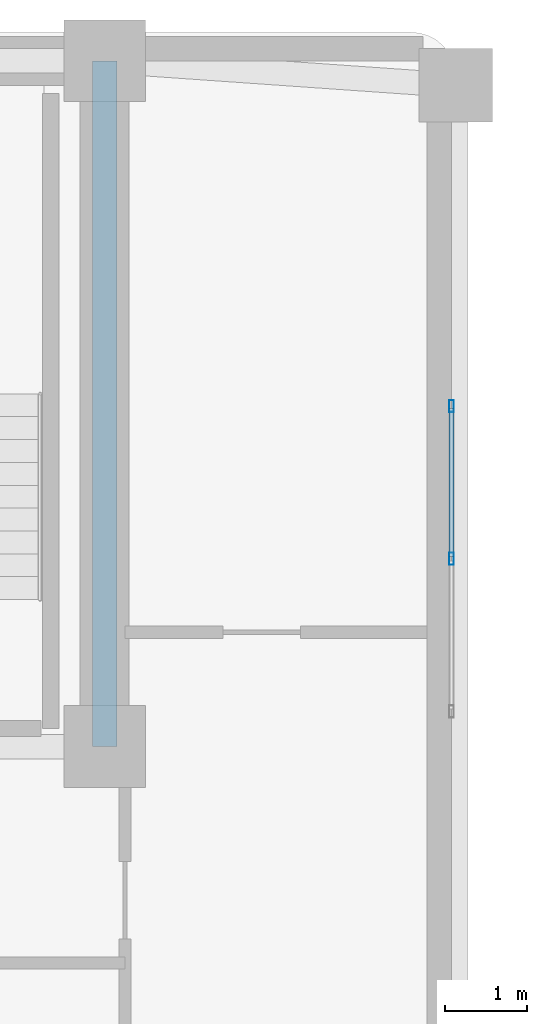
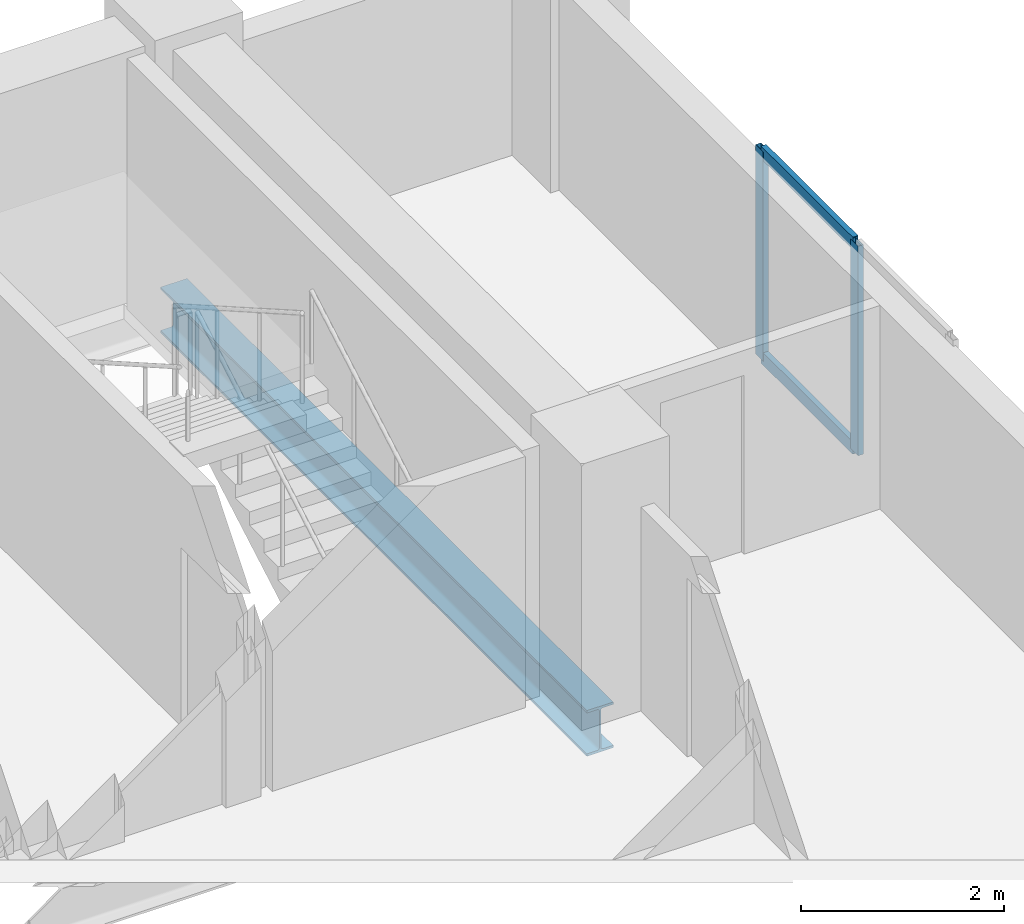
# One storey, part 4 of 9: 4 members, 1 beam, 1 element without a shape of its own.
"""IFC4 building model written with IfcOpenShell, lengths in metres."""

from ifc_helpers import new_model, si_unit, direction, frame, origin, origin_2d, place, context, subcontext, project, spatial, hollow_rectangle, i_section, extrude, material, material_profile, profile_set, type_object, element, aggregate, save


model = new_model("IFC4")

# Units and contexts
model_context = context("Model", 3, precision=1e-05, world=origin(), true_north=direction((0.0, 1.0)))
body_context = subcontext(model_context, "Body", "Model", "MODEL_VIEW")
ifc_project = project(units=[si_unit("LENGTHUNIT", "METRE"), si_unit("AREAUNIT", "SQUARE_METRE"), si_unit("VOLUMEUNIT", "CUBIC_METRE"), si_unit("PLANEANGLEUNIT", "RADIAN"), si_unit("MASSUNIT", "GRAM", prefix="KILO")], contexts=[model_context])

# Site, building, storey
site_placement = place(None, origin())
site = spatial("IfcSite", under=ifc_project, at=site_placement, CompositionType="ELEMENT")
building_placement = place(site_placement, origin())
building = spatial("IfcBuilding", under=site, at=building_placement, Name="Kuzgunbayir Cultural Tower", CompositionType="ELEMENT")
storey_placement = place(building_placement, frame((0.0, 0.0, 166.39990234375)))
storey = spatial("IfcBuildingStorey", under=building, at=storey_placement, Name="L48", CompositionType="ELEMENT", Elevation=166.39990234375)

# Beam
ifc_material_1 = material(Name="Steel S355J2", Category="steel")
ifc_material_profile_1 = material_profile(ifc_material_1, i_section(OverallWidth=0.300048828125, OverallDepth=0.550048828125, WebThickness=0.014892578125, FlangeThickness=0.029052734375, FilletRadius=0.027099609375, at=origin_2d()), Name="HEB 550")
ifc_profile_set_1 = profile_set([ifc_material_profile_1], Name="Steel S355J2")
beam_type = type_object("IfcBeamType", Name="BM-GIR-HEB550", PredefinedType="BEAM", material=ifc_profile_set_1)
beam_placement = place(storey_placement, frame((26.89990234375, 33.800048828125, -0.4599609375), z_axis=(0.0, 1.0, 0.0), x_axis=(-1.0, 0.0, 0.0)))
element("IfcBeam", 1, at=beam_placement, inside=storey, type_object=beam_type, Name="L48 Core East Edge Girder", PredefinedType="BEAM", context=body_context, shape_type="SweptSolid", body=[
    extrude(i_section(OverallWidth=0.300048828125, OverallDepth=0.550048828125, WebThickness=0.014892578125, FlangeThickness=0.029052734375, FilletRadius=0.027099609375, at=origin_2d()), origin(), (0.0, 0.0, 1.0), 8.39990234375),
])

# Curtain wall, members
ifc_material_2 = material(Name="Anodised Aluminium Framing", Category="aluminium")
curtain_wall_type = type_object("IfcCurtainWallType", Name="CW02-PORTAL-SOFFIT", PredefinedType="NOTDEFINED", material=ifc_material_2)
curtain_wall_placement = place(storey_placement, origin())
curtain_wall = element("IfcCurtainWall", 2, at=curtain_wall_placement, inside=storey, type_object=curtain_wall_type, Name="L48 Wind-Portal Aperture Curtain Wall", PredefinedType="NOTDEFINED")
ifc_material_profile_2 = material_profile(ifc_material_2, hollow_rectangle(XDim=0.06005859375, YDim=0.14990234375, WallThickness=0.00390625, at=origin_2d()), Name="RHS 150x60x4")
ifc_profile_set_2 = profile_set([ifc_material_profile_2], Name="Anodised Aluminium Framing")
member_type_1 = type_object("IfcMemberType", Name="MEM-CW-MULLION-150", PredefinedType="MULLION", material=ifc_profile_set_2)
member_1_placement = place(storey_placement, frame((31.14990234375, 36.10009765625, 0.0), z_axis=(0.0, 0.0, 1.0), x_axis=(-1.0, 0.0, 0.0)))
member_1 = element("IfcMember", 3, at=member_1_placement, type_object=member_type_1, Name="CW02 mullion 2", PredefinedType="MULLION", context=body_context, shape_type="SweptSolid", body=[
    extrude(hollow_rectangle(XDim=0.06005859375, YDim=0.14990234375, WallThickness=0.00390625, at=origin_2d()), origin(), (0.0, 0.0, 1.0), 2.52001953125),
])
member_2_placement = place(storey_placement, frame((31.14990234375, 37.969970703125, 0.0), z_axis=(0.0, 0.0, 1.0), x_axis=(-1.0, 0.0, 0.0)))
member_2 = element("IfcMember", 4, at=member_2_placement, type_object=member_type_1, Name="CW02 mullion 3", PredefinedType="MULLION", context=body_context, shape_type="SweptSolid", body=[
    extrude(hollow_rectangle(XDim=0.06005859375, YDim=0.14990234375, WallThickness=0.00390625, at=origin_2d()), origin(), (0.0, 0.0, 1.0), 2.52001953125),
])
ifc_material_profile_3 = material_profile(ifc_material_2, hollow_rectangle(XDim=0.06005859375, YDim=0.14990234375, WallThickness=0.00390625, at=origin_2d()), Name="RHS 150x60x4")
ifc_profile_set_3 = profile_set([ifc_material_profile_3], Name="Anodised Aluminium Framing")
member_type_2 = type_object("IfcMemberType", Name="MEM-CW-TRANSOM-150", PredefinedType="USERDEFINED", material=ifc_profile_set_3)
member_3_placement = place(storey_placement, frame((31.14990234375, 36.1298828125, 0.030029296875), z_axis=(0.0, 1.0, 0.0), x_axis=(-1.0, 0.0, 0.0)))
member_3 = element("IfcMember", 5, at=member_3_placement, type_object=member_type_2, Name="CW02 transom 2.1", ObjectType="TRANSOM", PredefinedType="USERDEFINED", context=body_context, shape_type="SweptSolid", body=[
    extrude(hollow_rectangle(XDim=0.06005859375, YDim=0.14990234375, WallThickness=0.00390625, at=origin_2d()), origin(), (0.0, 0.0, 1.0), 1.81005859375),
])
member_4_placement = place(storey_placement, frame((31.14990234375, 36.1298828125, 2.489990234375), z_axis=(0.0, 1.0, 0.0), x_axis=(-1.0, 0.0, 0.0)))
member_4 = element("IfcMember", 6, at=member_4_placement, type_object=member_type_2, Name="CW02 transom 2.2", ObjectType="TRANSOM", PredefinedType="USERDEFINED", context=body_context, shape_type="SweptSolid", body=[
    extrude(hollow_rectangle(XDim=0.06005859375, YDim=0.14990234375, WallThickness=0.00390625, at=origin_2d()), origin(), (0.0, 0.0, 1.0), 1.81005859375),
])
aggregate(curtain_wall, [member_1, member_2, member_3, member_4])

save(model, "model.ifc")
